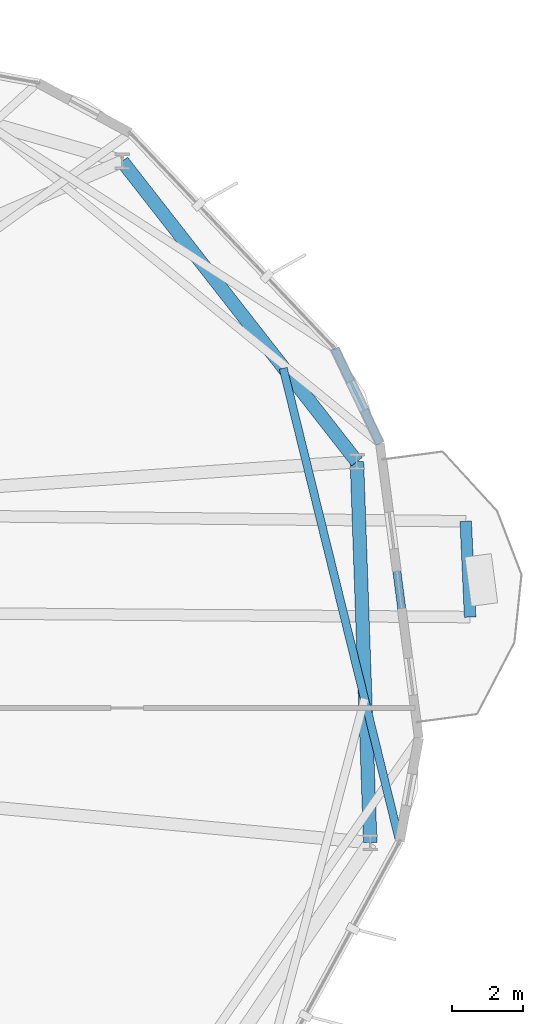
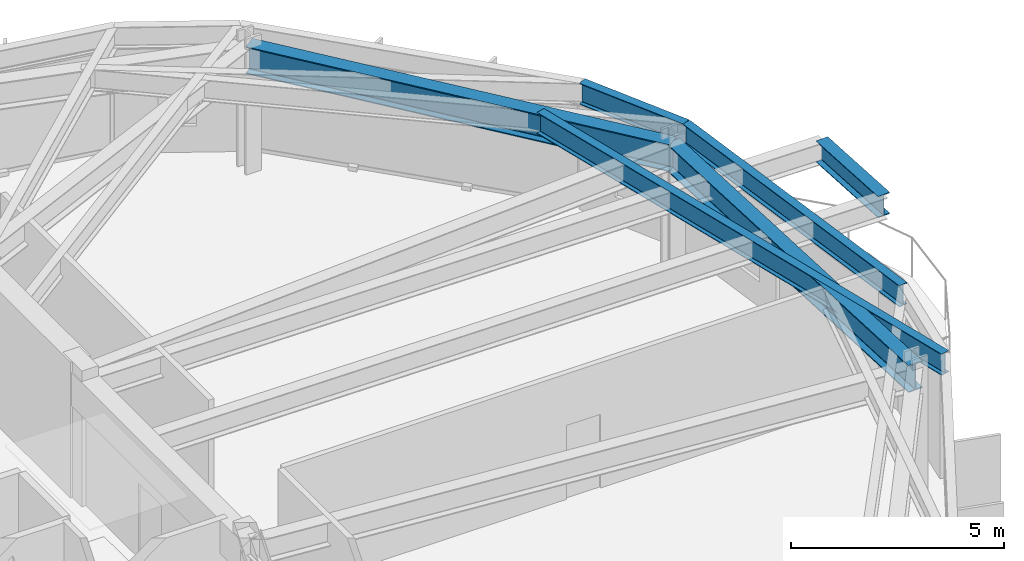
# One storey, part 13 of 25: 6 beams.
"""IFC4 building model written with IfcOpenShell, lengths in metres."""

from ifc_helpers import new_model, si_unit, direction, frame, origin, origin_2d, place, context, subcontext, project, spatial, i_section, extrude, material, material_profile, profile_set, type_object, element, save


model = new_model("IFC4")

# Units and contexts
model_context = context("Model", 3, precision=1e-05, world=origin(), true_north=direction((0.0, 1.0)))
body_context = subcontext(model_context, "Body", "Model", "MODEL_VIEW")
ifc_project = project(units=[si_unit("LENGTHUNIT", "METRE"), si_unit("AREAUNIT", "SQUARE_METRE"), si_unit("VOLUMEUNIT", "CUBIC_METRE"), si_unit("PLANEANGLEUNIT", "RADIAN"), si_unit("MASSUNIT", "GRAM", prefix="KILO")], contexts=[model_context])

# Site, building, storey
site_placement = place(None, origin())
site = spatial("IfcSite", under=ifc_project, at=site_placement, CompositionType="ELEMENT")
building_placement = place(site_placement, origin())
building = spatial("IfcBuilding", under=site, at=building_placement, Name="Soratama Intermodal Tower", CompositionType="ELEMENT")
storey_placement = place(building_placement, frame((0.0, 0.0, 126.39990234375)))
storey = spatial("IfcBuildingStorey", under=building, at=storey_placement, Name="L30", CompositionType="ELEMENT", Elevation=126.39990234375)

# Beams
ifc_material_1 = material(Name="Structural steel ASTM A992 Grade 50", Category="steel")
ifc_material_profile_1 = material_profile(ifc_material_1, i_section(OverallWidth=0.324951171875, OverallDepth=0.615966796875, WebThickness=0.013916015625, FlangeThickness=0.021484375, FilletRadius=0.013916015625, at=origin_2d()), Name="W24X117")
ifc_profile_set_1 = profile_set([ifc_material_profile_1], Name="Structural steel ASTM A992 Grade 50")
beam_type_1 = type_object("IfcBeamType", Name="BM-CANT-W24X117", PredefinedType="BEAM", material=ifc_profile_set_1)
beam_1_placement = place(storey_placement, frame((64.5439453125, 26.56689453125, 3.2919921875), z_axis=(-0.045473143338, 0.998965561586, 0.0), x_axis=(-0.998965561586, -0.045473143338, 0.0)))
element("IfcBeam", 1, at=beam_1_placement, inside=storey, type_object=beam_type_1, Name="BM-L30-CBHDR-1", PredefinedType="BEAM", context=body_context, shape_type="SweptSolid", body=[
    extrude(i_section(OverallWidth=0.324951171875, OverallDepth=0.615966796875, WebThickness=0.013916015625, FlangeThickness=0.021484375, FilletRadius=0.013916015625, at=origin_2d()), origin(), (0.0, 0.0, 1.0), 2.705810546875),
])
ifc_material_2 = material(Name="Structural steel ASTM A992 Grade 50", Category="steel")
ifc_material_profile_2 = material_profile(ifc_material_2, i_section(OverallWidth=0.382080078125, OverallDepth=0.779052734375, WebThickness=0.01806640625, FlangeThickness=0.030029296875, FilletRadius=0.01806640625, at=origin_2d()), Name="W30X191")
ifc_profile_set_2 = profile_set([ifc_material_profile_2], Name="Structural steel ASTM A992 Grade 50")
beam_type_2 = type_object("IfcBeamType", Name="BM-RING-W30X191", PredefinedType="BEAM", material=ifc_profile_set_2)
beam_2_placement = place(storey_placement, frame((61.35107421875, 30.950927734375, 3.210693359375), z_axis=(-0.615683690883, 0.787993396407, 0.0), x_axis=(-0.787993396407, -0.615683690883, 0.0)))
element("IfcBeam", 2, at=beam_2_placement, inside=storey, type_object=beam_type_2, Name="BM-L30-RING-01", PredefinedType="BEAM", context=body_context, shape_type="SweptSolid", body=[
    extrude(i_section(OverallWidth=0.382080078125, OverallDepth=0.779052734375, WebThickness=0.01806640625, FlangeThickness=0.030029296875, FilletRadius=0.01806640625, at=origin_2d()), origin(), (0.0, 0.0, 1.0), 10.754150390625),
])
beam_3_placement = place(storey_placement, frame((61.72607421875, 20.2041015625, 3.210693359375), z_axis=(-0.034872799059, 0.999391758964, 0.0), x_axis=(-0.999391758964, -0.034872799059, 0.0)))
element("IfcBeam", 3, at=beam_3_placement, inside=storey, type_object=beam_type_2, Name="BM-L30-RING-10", PredefinedType="BEAM", context=body_context, shape_type="SweptSolid", body=[
    extrude(i_section(OverallWidth=0.382080078125, OverallDepth=0.779052734375, WebThickness=0.01806640625, FlangeThickness=0.030029296875, FilletRadius=0.01806640625, at=origin_2d()), origin(), (0.0, 0.0, 1.0), 10.75341796875),
])
ifc_material_3 = material(Name="Structural steel ASTM A992 Grade 50", Category="steel")
ifc_material_profile_3 = material_profile(ifc_material_3, i_section(OverallWidth=0.22900390625, OverallDepth=0.612060546875, WebThickness=0.011962890625, FlangeThickness=0.01953125, FilletRadius=0.012939453125, at=origin_2d()), Name="W24X84")
ifc_profile_set_3 = profile_set([ifc_material_profile_3], Name="Structural steel ASTM A992 Grade 50")
beam_type_3 = type_object("IfcBeamType", Name="BM-SPN-W24X84", PredefinedType="SPANDREL", material=ifc_profile_set_3)
beam_4_placement = place(storey_placement, frame((63.096923828125, 23.154052734375, 3.294189453125), z_axis=(-0.130605168203, 0.991434460788, 0.0), x_axis=(-0.991434460788, -0.130605168203, 0.0)))
element("IfcBeam", 4, at=beam_4_placement, inside=storey, type_object=beam_type_3, Name="BS-L30-F10", PredefinedType="SPANDREL", context=body_context, shape_type="SweptSolid", body=[
    extrude(i_section(OverallWidth=0.22900390625, OverallDepth=0.612060546875, WebThickness=0.011962890625, FlangeThickness=0.01953125, FilletRadius=0.012939453125, at=origin_2d()), origin(), (0.0, 0.0, 1.0), 8.3837890625),
])
beam_5_placement = place(storey_placement, frame((62.001953125, 31.466064453125, 3.294189453125), z_axis=(-0.430380727032, 0.902647455987, 0.0), x_axis=(-0.902647455987, -0.430380727032, 0.0)))
element("IfcBeam", 5, at=beam_5_placement, inside=storey, type_object=beam_type_3, Name="BS-L30-CRN10", PredefinedType="SPANDREL", context=body_context, shape_type="SweptSolid", body=[
    extrude(i_section(OverallWidth=0.22900390625, OverallDepth=0.612060546875, WebThickness=0.011962890625, FlangeThickness=0.01953125, FilletRadius=0.012939453125, at=origin_2d()), origin(), (0.0, 0.0, 1.0), 2.966796875),
])
ifc_material_4 = material(Name="Structural steel ASTM A992 Grade 50", Category="steel")
ifc_material_profile_4 = material_profile(ifc_material_4, i_section(OverallWidth=0.22900390625, OverallDepth=0.612060546875, WebThickness=0.011962890625, FlangeThickness=0.01953125, FilletRadius=0.012939453125, at=origin_2d()), Name="W24X84")
ifc_profile_set_4 = profile_set([ifc_material_profile_4], Name="Structural steel ASTM A992 Grade 50")
beam_type_4 = type_object("IfcBeamType", Name="BM-TIE-W24X84", PredefinedType="BEAM", material=ifc_profile_set_4)
beam_6_placement = place(storey_placement, frame((59.27197265625, 33.5849609375, 3.294189453125), z_axis=(0.238918819064, -0.971039544971, 0.0), x_axis=(0.971039544971, 0.238918819064, 0.0)))
element("IfcBeam", 6, at=beam_6_placement, inside=storey, type_object=beam_type_4, Name="BM-L30-TIE1-09", PredefinedType="BEAM", context=body_context, shape_type="SweptSolid", body=[
    extrude(i_section(OverallWidth=0.22900390625, OverallDepth=0.612060546875, WebThickness=0.011962890625, FlangeThickness=0.01953125, FilletRadius=0.012939453125, at=origin_2d()), origin(), (0.0, 0.0, 1.0), 13.744873046875),
])

save(model, "model.ifc")
